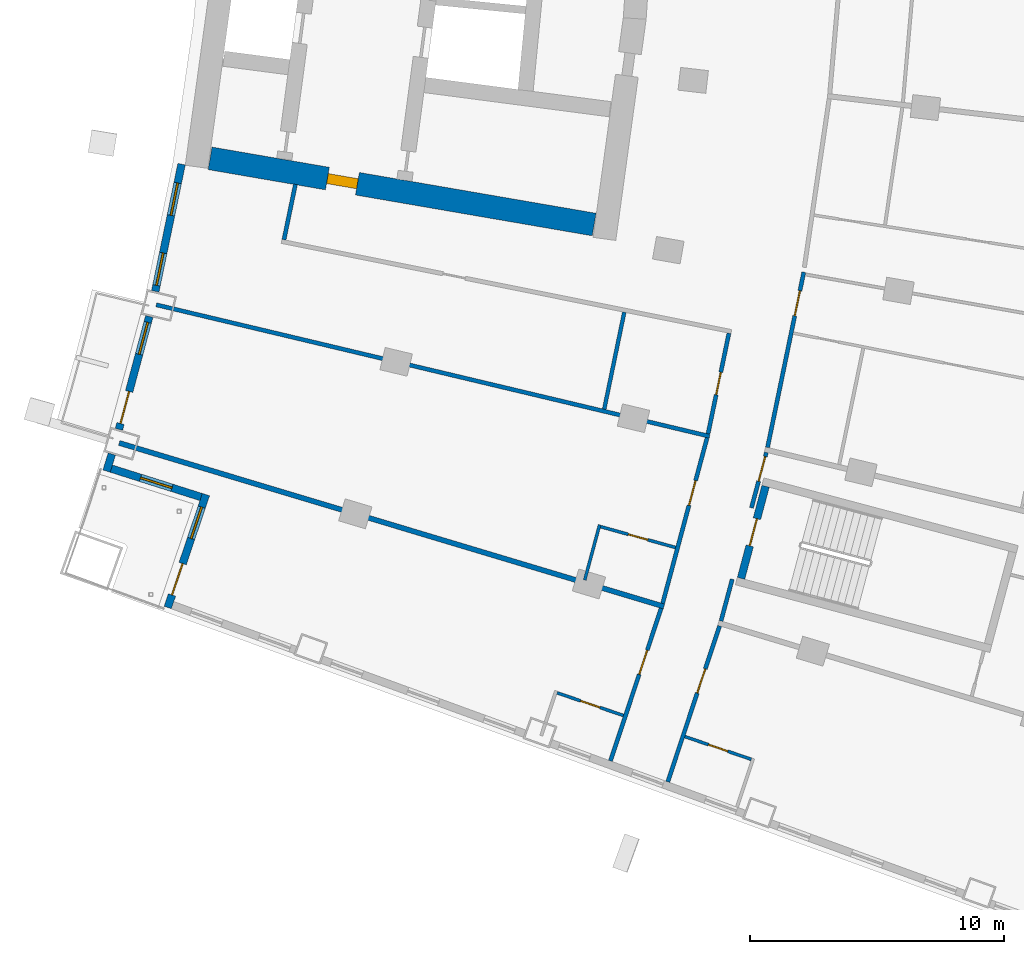
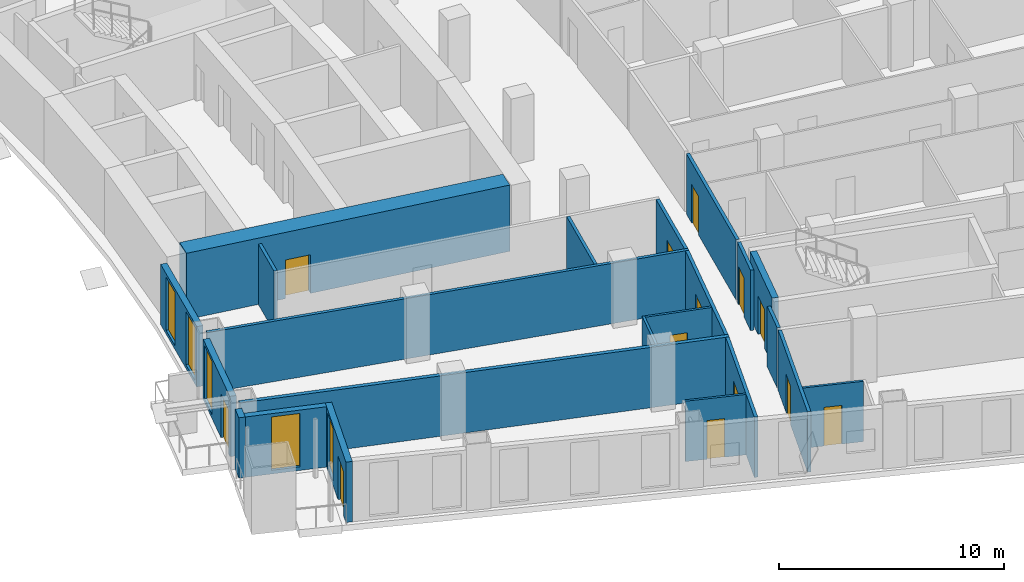
# One storey, part 13 of 24: 22 walls, 13 doors, 5 windows, 18 openings.
"""IFC4 building model written with IfcOpenShell, lengths in metres."""

from ifc_helpers import new_model, si_unit, direction, frame, frame_2d, origin, place, context, subcontext, project, spatial, rectangle, extrude, material, layer, layer_set, type_object, element, fill, save


model = new_model("IFC4")

# Units and contexts
model_context = context("Model", 3, precision=1e-05, world=origin(), true_north=direction((0.0, 1.0)))
body_context = subcontext(model_context, "Body", "Model", "MODEL_VIEW")
ifc_project = project(units=[si_unit("LENGTHUNIT", "METRE"), si_unit("AREAUNIT", "SQUARE_METRE"), si_unit("VOLUMEUNIT", "CUBIC_METRE"), si_unit("PLANEANGLEUNIT", "RADIAN"), si_unit("MASSUNIT", "GRAM", prefix="KILO")], contexts=[model_context])

# Site, building, storey
site_placement = place(None, origin())
site = spatial("IfcSite", under=ifc_project, at=site_placement, CompositionType="ELEMENT")
building_placement = place(site_placement, origin())
building = spatial("IfcBuilding", under=site, at=building_placement, Name="Alderwake Tower", CompositionType="ELEMENT")
storey_placement = place(building_placement, frame((0.0, 0.0, 39.199951171875)))
storey = spatial("IfcBuildingStorey", under=building, at=storey_placement, Name="L08", CompositionType="ELEMENT", Elevation=39.199951171875)

# Wall, opening, door
ifc_material_1 = material(Name="Concrete C70/85", Category="concrete")
ifc_layer_1 = layer(ifc_material_1, 0.89990234375)
ifc_layer_set_1 = layer_set([ifc_layer_1], Name="Core wall outer 900 C70-85")
wall_type_1 = type_object("IfcWallType", Name="Core wall outer 900 C70-85", PredefinedType="SHEAR", material=ifc_layer_set_1)
wall_1_placement = place(storey_placement, frame((31.11328125, 41.846923828125, 0.0), z_axis=(0.0, 0.0, 1.0), x_axis=(-0.985466640605, 0.169869067972, 0.0)))
wall_1 = element("IfcWall", 1, at=wall_1_placement, inside=storey, type_object=wall_type_1, Name="Core wall CW.070", PredefinedType="SHEAR", context=body_context, shape_type="SweptSolid", body=[
    extrude(rectangle(XDim=15.336669921875, YDim=0.89990234375, at=frame_2d((7.66845703125, 0.0))), origin(), (0.0, 0.0, 1.0), 3.60009765625),
])
opening_1_placement = place(wall_1_placement, frame((9.451904296875, 0.0, 0.0)))
opening_1 = element("IfcOpeningElement", 2, at=opening_1_placement, cuts=wall_1, Name="Opening C003", PredefinedType="OPENING", context=body_context, shape_type="SweptSolid", body=[
    extrude(rectangle(XDim=1.199951171875, YDim=2.10009765625, at=frame_2d((0.60009765625, 1.050048828125))), frame((0.0, 0.4599609375, 0.0), z_axis=(0.0, -1.0, 0.0), x_axis=(1.0, 0.0, 0.0)), (0.0, 0.0, 1.0), 0.919921875),
])
ifc_material_2 = material(Name="Steel-framed fire door leaf", Category="steel")
door_type_1 = type_object("IfcDoorType", Name="Core lobby exit door 1200 fire-rated", OperationType="SINGLE_SWING_LEFT", PredefinedType="DOOR", material=ifc_material_2)
door_1_placement = place(opening_1_placement, origin())
door_1 = element("IfcDoor", 3, at=door_1_placement, inside=storey, type_object=door_type_1, Name="Lobby door", OperationType="SINGLE_SWING_LEFT", OverallHeight=2.10009765625, OverallWidth=1.199951171875, PredefinedType="DOOR", context=body_context, shape_type="SweptSolid", body=[
    extrude(rectangle(XDim=1.199951171875, YDim=2.10009765625, at=frame_2d((0.60009765625, 1.050048828125))), frame((0.0, 0.199951171875, 0.0), z_axis=(0.0, -1.0, 0.0), x_axis=(1.0, 0.0, 0.0)), (0.0, 0.0, 1.0), 0.39990234375),
])
fill(opening_1, door_1)

ifc_material_3 = material(Name="Concrete C70/85", Category="concrete")
ifc_layer_2 = layer(ifc_material_3, 0.300048828125)
ifc_layer_set_2 = layer_set([ifc_layer_2], Name="Core wall stair enclosure 300 C70-85")
wall_type_2 = type_object("IfcWallType", Name="Core wall stair enclosure 300 C70-85", PredefinedType="SHEAR", material=ifc_layer_set_2)
wall_2_placement = place(storey_placement, frame((36.89501953125, 27.923828125, 0.0), z_axis=(0.0, 0.0, 1.0), x_axis=(0.257350630826, 0.966318090907, 0.0)))
wall_2 = element("IfcWall", 4, at=wall_2_placement, inside=storey, type_object=wall_type_2, Name="Core wall CW.087", PredefinedType="SHEAR", context=body_context, shape_type="SweptSolid", body=[
    extrude(rectangle(XDim=3.75, YDim=0.300048828125, at=frame_2d((1.875, 0.0))), origin(), (0.0, 0.0, 1.0), 3.60009765625),
])
opening_2_placement = place(wall_2_placement, frame((1.324951171875, 0.0, 0.0)))
opening_2 = element("IfcOpeningElement", 5, at=opening_2_placement, cuts=wall_2, Name="Opening C065", PredefinedType="OPENING", context=body_context, shape_type="SweptSolid", body=[
    extrude(rectangle(XDim=1.10009765625, YDim=2.10009765625, at=frame_2d((0.550048828125, 1.050048828125))), frame((0.0, 0.159912109375, 0.0), z_axis=(0.0, -1.0, 0.0), x_axis=(1.0, 0.0, 0.0)), (0.0, 0.0, 1.0), 0.320068359375),
])
ifc_material_4 = material(Name="Steel-framed fire door leaf", Category="steel")
door_type_2 = type_object("IfcDoorType", Name="Core stair door 1100 fire-rated", OperationType="SINGLE_SWING_LEFT", PredefinedType="DOOR", material=ifc_material_4)
door_2_placement = place(opening_2_placement, origin())
door_2 = element("IfcDoor", 6, at=door_2_placement, inside=storey, type_object=door_type_2, Name="Stair door", OperationType="SINGLE_SWING_LEFT", OverallHeight=2.10009765625, OverallWidth=1.10009765625, PredefinedType="DOOR", context=body_context, shape_type="SweptSolid", body=[
    extrude(rectangle(XDim=1.10009765625, YDim=2.10009765625, at=frame_2d((0.550048828125, 1.050048828125))), frame((0.0, 0.02490234375, 0.0), z_axis=(0.0, -1.0, 0.0), x_axis=(1.0, 0.0, 0.0)), (0.0, 0.0, 1.0), 0.050048828125),
])
fill(opening_2, door_2)

# Walls
ifc_material_5 = material(Name="Gypsum board on metal studs, rated")
ifc_layer_3 = layer(ifc_material_5, 0.159912109375)
ifc_layer_set_3 = layer_set([ifc_layer_3], Name="Corridor wall 160")
wall_type_3 = type_object("IfcWallType", Name="Corridor wall 160", PredefinedType="PARTITIONING", material=ifc_layer_set_3)
wall_3_placement = place(storey_placement, frame((13.884033203125, 38.68798828125, 0.0), z_axis=(0.0, 0.0, 1.0), x_axis=(0.972893462073, -0.231253781493, 0.0)))
element("IfcWall", 7, at=wall_3_placement, inside=storey, type_object=wall_type_3, Name="WL/L08/W16", PredefinedType="PARTITIONING", context=body_context, shape_type="SweptSolid", body=[
    extrude(rectangle(XDim=22.38037109375, YDim=0.159912109375, at=frame_2d((11.190185546875, 0.0))), origin(), (0.0, 0.0, 1.0), 3.280029296875),
])
wall_4_placement = place(storey_placement, frame((19.35888671875, 43.430908203125, 0.0), z_axis=(0.0, 0.0, 1.0), x_axis=(-0.202554916658, -0.979270905183, 0.0)))
element("IfcWall", 8, at=wall_4_placement, inside=storey, type_object=wall_type_3, Name="WL/L08/W19", PredefinedType="PARTITIONING", context=body_context, shape_type="SweptSolid", body=[
    extrude(rectangle(XDim=2.229736328125, YDim=0.159912109375, at=frame_2d((1.11474609375, 0.0))), origin(), (0.0, 0.0, 1.0), 3.280029296875),
])

# Wall, opening, door
wall_5_placement = place(storey_placement, frame((31.7548828125, 20.739013671875, 0.0), z_axis=(0.0, 0.0, 1.0), x_axis=(0.31554473692, 0.948910701279, 0.0)))
wall_5 = element("IfcWall", 9, at=wall_5_placement, inside=storey, type_object=wall_type_3, Name="WL/L08/W21", PredefinedType="PARTITIONING", context=body_context, shape_type="SweptSolid", body=[
    extrude(rectangle(XDim=6.327392578125, YDim=0.159912109375, at=frame_2d((3.16357421875, 0.0))), origin(), (0.0, 0.0, 1.0), 3.280029296875),
])
opening_3_placement = place(wall_5_placement, frame((3.59130859375, 0.0, 0.0)))
opening_3 = element("IfcOpeningElement", 10, at=opening_3_placement, cuts=wall_5, Name="Opening R01-U10.1", PredefinedType="OPENING", context=body_context, shape_type="SweptSolid", body=[
    extrude(rectangle(XDim=1.0, YDim=2.10009765625, at=frame_2d((0.5, 1.050048828125))), frame((0.0, 0.08984375, 0.0), z_axis=(0.0, -1.0, 0.0), x_axis=(1.0, 0.0, 0.0)), (0.0, 0.0, 1.0), 0.179931640625),
])
ifc_material_6 = material(Name="Solid timber leaf in steel frame", Category="steel")
door_type_3 = type_object("IfcDoorType", Name="Flat entrance door 1000 fire-rated", OperationType="SINGLE_SWING_LEFT", PredefinedType="DOOR", material=ifc_material_6)
door_3_placement = place(opening_3_placement, origin())
door_3 = element("IfcDoor", 11, at=door_3_placement, inside=storey, type_object=door_type_3, Name="DR/L08/U10.1", OperationType="SINGLE_SWING_LEFT", OverallHeight=2.10009765625, OverallWidth=1.0, PredefinedType="DOOR", context=body_context, shape_type="SweptSolid", body=[
    extrude(rectangle(XDim=1.0, YDim=2.10009765625, at=frame_2d((0.5, 1.050048828125))), frame((0.0, 0.02490234375, 0.0), z_axis=(0.0, -1.0, 0.0), x_axis=(1.0, 0.0, 0.0)), (0.0, 0.0, 1.0), 0.050048828125),
])
fill(opening_3, door_3)

wall_6_placement = place(storey_placement, frame((36.049560546875, 26.052978515625, 0.0), z_axis=(0.0, 0.0, 1.0), x_axis=(-0.315151894598, -0.949041244273, 0.0)))
wall_6 = element("IfcWall", 12, at=wall_6_placement, inside=storey, type_object=wall_type_3, Name="WL/L08/W23", PredefinedType="PARTITIONING", context=body_context, shape_type="SweptSolid", body=[
    extrude(rectangle(XDim=6.468505859375, YDim=0.159912109375, at=frame_2d((3.234375, 0.0))), origin(), (0.0, 0.0, 1.0), 3.280029296875),
])
opening_4_placement = place(wall_6_placement, frame((1.7822265625, 0.0, 0.0)))
opening_4 = element("IfcOpeningElement", 13, at=opening_4_placement, cuts=wall_6, Name="Opening R01-U03.1", PredefinedType="OPENING", context=body_context, shape_type="SweptSolid", body=[
    extrude(rectangle(XDim=1.0, YDim=2.10009765625, at=frame_2d((0.5, 1.050048828125))), frame((0.0, 0.08984375, 0.0), z_axis=(0.0, -1.0, 0.0), x_axis=(1.0, 0.0, 0.0)), (0.0, 0.0, 1.0), 0.179931640625),
])
door_4_placement = place(opening_4_placement, origin())
door_4 = element("IfcDoor", 14, at=door_4_placement, inside=storey, type_object=door_type_3, Name="DR/L08/U03.1", OperationType="SINGLE_SWING_LEFT", OverallHeight=2.10009765625, OverallWidth=1.0, PredefinedType="DOOR", context=body_context, shape_type="SweptSolid", body=[
    extrude(rectangle(XDim=1.0, YDim=2.10009765625, at=frame_2d((0.5, 1.050048828125))), frame((0.0, 0.02490234375, 0.0), z_axis=(0.0, -1.0, 0.0), x_axis=(1.0, 0.0, 0.0)), (0.0, 0.0, 1.0), 0.050048828125),
])
fill(opening_4, door_4)

wall_7_placement = place(storey_placement, frame((33.808837890625, 26.9345703125, 0.0), z_axis=(0.0, 0.0, 1.0), x_axis=(0.259298911818, 0.965797118618, 0.0)))
wall_7 = element("IfcWall", 15, at=wall_7_placement, inside=storey, type_object=wall_type_3, Name="WL/L08/W24", PredefinedType="PARTITIONING", context=body_context, shape_type="SweptSolid", body=[
    extrude(rectangle(XDim=6.75, YDim=0.159912109375, at=frame_2d((3.375, 0.0))), origin(), (0.0, 0.0, 1.0), 3.280029296875),
])
opening_5_placement = place(wall_7_placement, frame((4.00341796875, 0.0, 0.0)))
opening_5 = element("IfcOpeningElement", 16, at=opening_5_placement, cuts=wall_7, Name="Opening R01-U11.1", PredefinedType="OPENING", context=body_context, shape_type="SweptSolid", body=[
    extrude(rectangle(XDim=1.0, YDim=2.10009765625, at=frame_2d((0.5, 1.050048828125))), frame((0.0, 0.08984375, 0.0), z_axis=(0.0, -1.0, 0.0), x_axis=(1.0, 0.0, 0.0)), (0.0, 0.0, 1.0), 0.179931640625),
])
door_5_placement = place(opening_5_placement, origin())
door_5 = element("IfcDoor", 17, at=door_5_placement, inside=storey, type_object=door_type_3, Name="DR/L08/U11.1", OperationType="SINGLE_SWING_LEFT", OverallHeight=2.10009765625, OverallWidth=1.0, PredefinedType="DOOR", context=body_context, shape_type="SweptSolid", body=[
    extrude(rectangle(XDim=1.0, YDim=2.10009765625, at=frame_2d((0.5, 1.050048828125))), frame((0.0, 0.02490234375, 0.0), z_axis=(0.0, -1.0, 0.0), x_axis=(1.0, 0.0, 0.0)), (0.0, 0.0, 1.0), 0.050048828125),
])
fill(opening_5, door_5)

# Wall
wall_8_placement = place(storey_placement, frame((36.10693359375, 26.24462890625, 0.0), z_axis=(0.0, 0.0, 1.0), x_axis=(0.259346865847, 0.965784242559, 0.0)))
element("IfcWall", 18, at=wall_8_placement, inside=storey, type_object=wall_type_3, Name="WL/L08/W27", PredefinedType="PARTITIONING", context=body_context, shape_type="SweptSolid", body=[
    extrude(rectangle(XDim=1.704833984375, YDim=0.159912109375, at=frame_2d((0.8525390625, 0.0))), origin(), (0.0, 0.0, 1.0), 3.280029296875),
])

# Wall, opening, door
wall_9_placement = place(storey_placement, frame((35.59619140625, 33.609375, 0.0), z_axis=(0.0, 0.0, 1.0), x_axis=(0.203245920818, 0.979127721838, 0.0)))
wall_9 = element("IfcWall", 19, at=wall_9_placement, inside=storey, type_object=wall_type_3, Name="WL/L08/W29", PredefinedType="PARTITIONING", context=body_context, shape_type="SweptSolid", body=[
    extrude(rectangle(XDim=4.046875, YDim=0.159912109375, at=frame_2d((2.0234375, 0.0))), origin(), (0.0, 0.0, 1.0), 3.280029296875),
])
opening_6_placement = place(wall_9_placement, frame((1.573486328125, 0.0, 0.0)))
opening_6 = element("IfcOpeningElement", 20, at=opening_6_placement, cuts=wall_9, Name="Opening R01-SBS2", PredefinedType="OPENING", context=body_context, shape_type="SweptSolid", body=[
    extrude(rectangle(XDim=0.89990234375, YDim=2.10009765625, at=frame_2d((0.449951171875, 1.050048828125))), frame((0.0, 0.08984375, 0.0), z_axis=(0.0, -1.0, 0.0), x_axis=(1.0, 0.0, 0.0)), (0.0, 0.0, 1.0), 0.179931640625),
])
ifc_material_7 = material(Name="Painted timber leaf", Category="wood")
door_type_4 = type_object("IfcDoorType", Name="Room door 900", OperationType="SINGLE_SWING_LEFT", PredefinedType="DOOR", material=ifc_material_7)
door_6_placement = place(opening_6_placement, origin())
door_6 = element("IfcDoor", 21, at=door_6_placement, inside=storey, type_object=door_type_4, Name="DR/L08/SBS2", OperationType="SINGLE_SWING_LEFT", OverallHeight=2.10009765625, OverallWidth=0.89990234375, PredefinedType="DOOR", context=body_context, shape_type="SweptSolid", body=[
    extrude(rectangle(XDim=0.89990234375, YDim=2.10009765625, at=frame_2d((0.449951171875, 1.050048828125))), frame((0.0, 0.02490234375, 0.0), z_axis=(0.0, -1.0, 0.0), x_axis=(1.0, 0.0, 0.0)), (0.0, 0.0, 1.0), 0.050048828125),
])
fill(opening_6, door_6)

wall_10_placement = place(storey_placement, frame((37.89111328125, 32.87939453125, 0.0), z_axis=(0.0, 0.0, 1.0), x_axis=(-0.259620578816, -0.965710699462, 0.0)))
wall_10 = element("IfcWall", 22, at=wall_10_placement, inside=storey, type_object=wall_type_3, Name="WL/L08/W32", PredefinedType="PARTITIONING", context=body_context, shape_type="SweptSolid", body=[
    extrude(rectangle(XDim=2.2578125, YDim=0.159912109375, at=frame_2d((1.12890625, 0.0))), origin(), (0.0, 0.0, 1.0), 3.280029296875),
])
opening_7_placement = place(wall_10_placement, frame((0.1708984375, 0.0, 0.0)))
opening_7 = element("IfcOpeningElement", 23, at=opening_7_placement, cuts=wall_10, Name="Opening R01-U01.1", PredefinedType="OPENING", context=body_context, shape_type="SweptSolid", body=[
    extrude(rectangle(XDim=1.0, YDim=2.10009765625, at=frame_2d((0.5, 1.050048828125))), frame((0.0, 0.08984375, 0.0), z_axis=(0.0, -1.0, 0.0), x_axis=(1.0, 0.0, 0.0)), (0.0, 0.0, 1.0), 0.179931640625),
])
door_7_placement = place(opening_7_placement, origin())
door_7 = element("IfcDoor", 24, at=door_7_placement, inside=storey, type_object=door_type_3, Name="DR/L08/U01.1", OperationType="SINGLE_SWING_LEFT", OverallHeight=2.10009765625, OverallWidth=1.0, PredefinedType="DOOR", context=body_context, shape_type="SweptSolid", body=[
    extrude(rectangle(XDim=1.0, YDim=2.10009765625, at=frame_2d((0.5, 1.050048828125))), frame((0.0, 0.02490234375, 0.0), z_axis=(0.0, -1.0, 0.0), x_axis=(1.0, 0.0, 0.0)), (0.0, 0.0, 1.0), 0.050048828125),
])
fill(opening_7, door_7)

wall_11_placement = place(storey_placement, frame((39.3642578125, 39.975341796875, 0.0), z_axis=(0.0, 0.0, 1.0), x_axis=(-0.202487611378, -0.979284824368, 0.0)))
wall_11 = element("IfcWall", 25, at=wall_11_placement, inside=storey, type_object=wall_type_3, Name="WL/L08/W33", PredefinedType="PARTITIONING", context=body_context, shape_type="SweptSolid", body=[
    extrude(rectangle(XDim=7.04736328125, YDim=0.159912109375, at=frame_2d((3.523681640625, 0.0))), origin(), (0.0, 0.0, 1.0), 3.280029296875),
])
opening_8_placement = place(wall_11_placement, frame((0.7568359375, 0.0, 0.0)))
opening_8 = element("IfcOpeningElement", 26, at=opening_8_placement, cuts=wall_11, Name="Opening R01-U05.3", PredefinedType="OPENING", context=body_context, shape_type="SweptSolid", body=[
    extrude(rectangle(XDim=1.0, YDim=2.10009765625, at=frame_2d((0.5, 1.050048828125))), frame((0.0, 0.08984375, 0.0), z_axis=(0.0, -1.0, 0.0), x_axis=(1.0, 0.0, 0.0)), (0.0, 0.0, 1.0), 0.179931640625),
])
door_8_placement = place(opening_8_placement, origin())
door_8 = element("IfcDoor", 27, at=door_8_placement, inside=storey, type_object=door_type_3, Name="DR/L08/U05.3", OperationType="SINGLE_SWING_LEFT", OverallHeight=2.10009765625, OverallWidth=1.0, PredefinedType="DOOR", context=body_context, shape_type="SweptSolid", body=[
    extrude(rectangle(XDim=1.0, YDim=2.10009765625, at=frame_2d((0.5, 1.050048828125))), frame((0.0, 0.02490234375, 0.0), z_axis=(0.0, -1.0, 0.0), x_axis=(1.0, 0.0, 0.0)), (0.0, 0.0, 1.0), 0.050048828125),
])
fill(opening_8, door_8)

# Wall
ifc_material_8 = material(Name="Precast concrete C50/60 spandrel panel", Category="concrete")
ifc_layer_4 = layer(ifc_material_8, 0.300048828125)
ifc_layer_set_4 = layer_set([ifc_layer_4], Name="External wall EW1 Precast concrete C50/60 spandrel")
wall_type_4 = type_object("IfcWallType", Name="External wall EW1 Precast concrete C50/60 spandrel", PredefinedType="SOLIDWALL", material=ifc_layer_set_4)
wall_12_placement = place(storey_placement, frame((12.1328125, 32.814453125, 0.0), z_axis=(0.0, 0.0, 1.0), x_axis=(-0.294671831364, -0.955598509731, 0.0)))
element("IfcWall", 28, at=wall_12_placement, inside=storey, type_object=wall_type_4, Name="External wall 1", PredefinedType="SOLIDWALL", context=body_context, shape_type="SweptSolid", body=[
    extrude(rectangle(XDim=0.70263671875, YDim=0.300048828125, at=frame_2d((0.351318359375, 0.0))), origin(), (0.0, 0.0, 1.0), 3.280029296875),
])

# Wall, openings, windows
wall_13_placement = place(storey_placement, frame((14.878173828125, 44.223388671875, 0.0), z_axis=(0.0, 0.0, 1.0), x_axis=(-0.202738354746, -0.979232944459, 0.0)))
wall_13 = element("IfcWall", 29, at=wall_13_placement, inside=storey, type_object=wall_type_4, Name="External wall 35", PredefinedType="SOLIDWALL", context=body_context, shape_type="SweptSolid", body=[
    extrude(rectangle(XDim=5.1083984375, YDim=0.300048828125, at=frame_2d((2.55419921875, 0.0))), origin(), (0.0, 0.0, 1.0), 3.280029296875),
])
opening_9_placement = place(wall_13_placement, frame((0.75634765625, 0.0, 0.199951171875)))
opening_9 = element("IfcOpeningElement", 30, at=opening_9_placement, cuts=wall_13, Name="Opening W1", PredefinedType="OPENING", context=body_context, shape_type="SweptSolid", body=[
    extrude(rectangle(XDim=1.300048828125, YDim=2.89990234375, at=frame_2d((0.64990234375, 1.449951171875))), frame((0.0, 0.159912109375, 0.0), z_axis=(0.0, -1.0, 0.0), x_axis=(1.0, 0.0, 0.0)), (0.0, 0.0, 1.0), 0.320068359375),
])
opening_10_placement = place(wall_13_placement, frame((3.569091796875, 0.0, 0.199951171875)))
opening_10 = element("IfcOpeningElement", 31, at=opening_10_placement, cuts=wall_13, Name="Opening W1", PredefinedType="OPENING", context=body_context, shape_type="SweptSolid", body=[
    extrude(rectangle(XDim=1.300048828125, YDim=2.89990234375, at=frame_2d((0.64990234375, 1.449951171875))), frame((0.0, 0.159912109375, 0.0), z_axis=(0.0, -1.0, 0.0), x_axis=(1.0, 0.0, 0.0)), (0.0, 0.0, 1.0), 0.320068359375),
])
ifc_material_9 = material(Name="Bronze tinted glass in aluminium frame", Category="aluminium")
window_type = type_object("IfcWindowType", Name="Window W1 tall fixed and vent", PartitioningType="DOUBLE_PANEL_VERTICAL", PredefinedType="WINDOW", material=ifc_material_9)
window_1_placement = place(opening_9_placement, origin())
window_1 = element("IfcWindow", 32, at=window_1_placement, inside=storey, type_object=window_type, Name="Window W1 tall fixed and vent", OverallHeight=2.89990234375, OverallWidth=1.300048828125, PartitioningType="DOUBLE_PANEL_VERTICAL", PredefinedType="WINDOW", context=body_context, shape_type="SweptSolid", body=[
    extrude(rectangle(XDim=1.300048828125, YDim=2.89990234375, at=frame_2d((0.64990234375, 1.449951171875))), frame((0.0, 0.030029296875, 0.0), z_axis=(0.0, -1.0, 0.0), x_axis=(1.0, 0.0, 0.0)), (0.0, 0.0, 1.0), 0.06005859375),
])
fill(opening_9, window_1)
window_2_placement = place(opening_10_placement, origin())
window_2 = element("IfcWindow", 33, at=window_2_placement, inside=storey, type_object=window_type, Name="Window W1 tall fixed and vent", OverallHeight=2.89990234375, OverallWidth=1.300048828125, PartitioningType="DOUBLE_PANEL_VERTICAL", PredefinedType="WINDOW", context=body_context, shape_type="SweptSolid", body=[
    extrude(rectangle(XDim=1.300048828125, YDim=2.89990234375, at=frame_2d((0.64990234375, 1.449951171875))), frame((0.0, 0.030029296875, 0.0), z_axis=(0.0, -1.0, 0.0), x_axis=(1.0, 0.0, 0.0)), (0.0, 0.0, 1.0), 0.06005859375),
])
fill(opening_10, window_2)

# Wall, openings, door, window
wall_14_placement = place(storey_placement, frame((13.606689453125, 38.229248046875, 0.0), z_axis=(0.0, 0.0, 1.0), x_axis=(-0.259495671332, -0.965744270788, 0.0)))
wall_14 = element("IfcWall", 34, at=wall_14_placement, inside=storey, type_object=wall_type_4, Name="External wall 36", PredefinedType="SOLIDWALL", context=body_context, shape_type="SweptSolid", body=[
    extrude(rectangle(XDim=4.599609375, YDim=0.300048828125, at=frame_2d((2.2998046875, 0.0))), origin(), (0.0, 0.0, 1.0), 3.280029296875),
])
opening_11_placement = place(wall_14_placement, frame((0.2412109375, 0.0, 0.199951171875)))
opening_11 = element("IfcOpeningElement", 35, at=opening_11_placement, cuts=wall_14, Name="Opening W1", PredefinedType="OPENING", context=body_context, shape_type="SweptSolid", body=[
    extrude(rectangle(XDim=1.300048828125, YDim=2.89990234375, at=frame_2d((0.64990234375, 1.449951171875))), frame((0.0, 0.159912109375, 0.0), z_axis=(0.0, -1.0, 0.0), x_axis=(1.0, 0.0, 0.0)), (0.0, 0.0, 1.0), 0.320068359375),
])
opening_12_placement = place(wall_14_placement, frame((3.058349609375, 0.0, 0.0)))
opening_12 = element("IfcOpeningElement", 36, at=opening_12_placement, cuts=wall_14, Name="Opening D15", PredefinedType="OPENING", context=body_context, shape_type="SweptSolid", body=[
    extrude(rectangle(XDim=1.300048828125, YDim=2.39990234375, at=frame_2d((0.64990234375, 1.199951171875))), frame((0.0, 0.159912109375, 0.0), z_axis=(0.0, -1.0, 0.0), x_axis=(1.0, 0.0, 0.0)), (0.0, 0.0, 1.0), 0.320068359375),
])
ifc_material_10 = material(Name="Bronze tinted glass in aluminium frame", Category="aluminium")
door_type_5 = type_object("IfcDoorType", Name="Balcony door BD sliding", OperationType="SLIDING_TO_LEFT", PredefinedType="DOOR", material=ifc_material_10)
door_9_placement = place(opening_12_placement, origin())
door_9 = element("IfcDoor", 37, at=door_9_placement, inside=storey, type_object=door_type_5, Name="Door D15", OperationType="SLIDING_TO_LEFT", OverallHeight=2.39990234375, OverallWidth=1.300048828125, PredefinedType="DOOR", context=body_context, shape_type="SweptSolid", body=[
    extrude(rectangle(XDim=1.300048828125, YDim=2.39990234375, at=frame_2d((0.64990234375, 1.199951171875))), frame((0.0, 0.02490234375, 0.0), z_axis=(0.0, -1.0, 0.0), x_axis=(1.0, 0.0, 0.0)), (0.0, 0.0, 1.0), 0.050048828125),
])
fill(opening_12, door_9)
window_3_placement = place(opening_11_placement, origin())
window_3 = element("IfcWindow", 38, at=window_3_placement, inside=storey, type_object=window_type, Name="Window W1 tall fixed and vent", OverallHeight=2.89990234375, OverallWidth=1.300048828125, PartitioningType="DOUBLE_PANEL_VERTICAL", PredefinedType="WINDOW", context=body_context, shape_type="SweptSolid", body=[
    extrude(rectangle(XDim=1.300048828125, YDim=2.89990234375, at=frame_2d((0.64990234375, 1.449951171875))), frame((0.0, 0.030029296875, 0.0), z_axis=(0.0, -1.0, 0.0), x_axis=(1.0, 0.0, 0.0)), (0.0, 0.0, 1.0), 0.06005859375),
])
fill(opening_11, window_3)

# Wall, opening, window
ifc_material_11 = material(Name="Bronze metal cladding on lightweight framing")
ifc_layer_5 = layer(ifc_material_11, 0.300048828125)
ifc_layer_set_5 = layer_set([ifc_layer_5], Name="External wall EW2 bronze metal cladding")
wall_type_5 = type_object("IfcWallType", Name="External wall EW2 bronze metal cladding", PredefinedType="SOLIDWALL", material=ifc_layer_set_5)
wall_15_placement = place(storey_placement, frame((12.113037109375, 32.2412109375, 0.0), z_axis=(0.0, 0.0, 1.0), x_axis=(0.953458128271, -0.301525451054, 0.0)))
wall_15 = element("IfcWall", 39, at=wall_15_placement, inside=storey, type_object=wall_type_5, Name="External wall 2", PredefinedType="SOLIDWALL", context=body_context, shape_type="SweptSolid", body=[
    extrude(rectangle(XDim=3.705810546875, YDim=0.300048828125, at=frame_2d((1.85302734375, 0.0))), origin(), (0.0, 0.0, 1.0), 3.280029296875),
])
opening_13_placement = place(wall_15_placement, frame((1.202880859375, 0.0, 0.199951171875)))
opening_13 = element("IfcOpeningElement", 40, at=opening_13_placement, cuts=wall_15, Name="Opening W1", PredefinedType="OPENING", context=body_context, shape_type="SweptSolid", body=[
    extrude(rectangle(XDim=1.300048828125, YDim=2.89990234375, at=frame_2d((0.64990234375, 1.449951171875))), frame((0.0, 0.159912109375, 0.0), z_axis=(0.0, -1.0, 0.0), x_axis=(1.0, 0.0, 0.0)), (0.0, 0.0, 1.0), 0.320068359375),
])
window_4_placement = place(opening_13_placement, origin())
window_4 = element("IfcWindow", 41, at=window_4_placement, inside=storey, type_object=window_type, Name="Window W1 tall fixed and vent", OverallHeight=2.89990234375, OverallWidth=1.300048828125, PartitioningType="DOUBLE_PANEL_VERTICAL", PredefinedType="WINDOW", context=body_context, shape_type="SweptSolid", body=[
    extrude(rectangle(XDim=1.300048828125, YDim=2.89990234375, at=frame_2d((0.64990234375, 1.449951171875))), frame((0.0, 0.030029296875, 0.0), z_axis=(0.0, -1.0, 0.0), x_axis=(1.0, 0.0, 0.0)), (0.0, 0.0, 1.0), 0.06005859375),
])
fill(opening_13, window_4)

# Wall, openings, door, window
wall_16_placement = place(storey_placement, frame((15.83740234375, 31.220703125, 0.0), z_axis=(0.0, 0.0, 1.0), x_axis=(-0.32041006121, -0.947278941324, 0.0)))
wall_16 = element("IfcWall", 42, at=wall_16_placement, inside=storey, type_object=wall_type_5, Name="External wall 3", PredefinedType="SOLIDWALL", context=body_context, shape_type="SweptSolid", body=[
    extrude(rectangle(XDim=4.68994140625, YDim=0.300048828125, at=frame_2d((2.344970703125, 0.0))), origin(), (0.0, 0.0, 1.0), 3.280029296875),
])
opening_14_placement = place(wall_16_placement, frame((0.5224609375, 0.0, 0.199951171875)))
opening_14 = element("IfcOpeningElement", 43, at=opening_14_placement, cuts=wall_16, Name="Opening W1", PredefinedType="OPENING", context=body_context, shape_type="SweptSolid", body=[
    extrude(rectangle(XDim=1.300048828125, YDim=2.89990234375, at=frame_2d((0.64990234375, 1.449951171875))), frame((0.0, 0.159912109375, 0.0), z_axis=(0.0, -1.0, 0.0), x_axis=(1.0, 0.0, 0.0)), (0.0, 0.0, 1.0), 0.320068359375),
])
opening_15_placement = place(wall_16_placement, frame((2.867431640625, 0.0, 0.0)))
opening_15 = element("IfcOpeningElement", 44, at=opening_15_placement, cuts=wall_16, Name="Opening D01", PredefinedType="OPENING", context=body_context, shape_type="SweptSolid", body=[
    extrude(rectangle(XDim=1.300048828125, YDim=2.39990234375, at=frame_2d((0.64990234375, 1.199951171875))), frame((0.0, 0.159912109375, 0.0), z_axis=(0.0, -1.0, 0.0), x_axis=(1.0, 0.0, 0.0)), (0.0, 0.0, 1.0), 0.320068359375),
])
door_10_placement = place(opening_15_placement, origin())
door_10 = element("IfcDoor", 45, at=door_10_placement, inside=storey, type_object=door_type_5, Name="Door D01", OperationType="SLIDING_TO_LEFT", OverallHeight=2.39990234375, OverallWidth=1.300048828125, PredefinedType="DOOR", context=body_context, shape_type="SweptSolid", body=[
    extrude(rectangle(XDim=1.300048828125, YDim=2.39990234375, at=frame_2d((0.64990234375, 1.199951171875))), frame((0.0, 0.02490234375, 0.0), z_axis=(0.0, -1.0, 0.0), x_axis=(1.0, 0.0, 0.0)), (0.0, 0.0, 1.0), 0.050048828125),
])
fill(opening_15, door_10)
window_5_placement = place(opening_14_placement, origin())
window_5 = element("IfcWindow", 46, at=window_5_placement, inside=storey, type_object=window_type, Name="Window W1 tall fixed and vent", OverallHeight=2.89990234375, OverallWidth=1.300048828125, PartitioningType="DOUBLE_PANEL_VERTICAL", PredefinedType="WINDOW", context=body_context, shape_type="SweptSolid", body=[
    extrude(rectangle(XDim=1.300048828125, YDim=2.89990234375, at=frame_2d((0.64990234375, 1.449951171875))), frame((0.0, 0.030029296875, 0.0), z_axis=(0.0, -1.0, 0.0), x_axis=(1.0, 0.0, 0.0)), (0.0, 0.0, 1.0), 0.06005859375),
])
fill(opening_14, window_5)

# Walls
ifc_material_12 = material(Name="Dense block masonry wall", Category="masonry")
ifc_layer_6 = layer(ifc_material_12, 0.199951171875)
ifc_layer_set_6 = layer_set([ifc_layer_6], Name="Party wall 200")
wall_type_6 = type_object("IfcWallType", Name="Party wall 200", PredefinedType="SOLIDWALL", material=ifc_layer_set_6)
wall_17_placement = place(storey_placement, frame((33.859619140625, 26.81494140625, 0.0), z_axis=(0.0, 0.0, 1.0), x_axis=(-0.95775179957, 0.287596054251, 0.0)))
element("IfcWall", 47, at=wall_17_placement, inside=storey, type_object=wall_type_6, Name="WL/L08/W03", PredefinedType="SOLIDWALL", context=body_context, shape_type="SweptSolid", body=[
    extrude(rectangle(XDim=22.382080078125, YDim=0.199951171875, at=frame_2d((11.19091796875, 0.0))), origin(), (0.0, 0.0, 1.0), 3.280029296875),
])
ifc_material_13 = material(Name="Gypsum shaft wall system, rated")
ifc_layer_7 = layer(ifc_material_13, 0.14990234375)
ifc_layer_set_7 = layer_set([ifc_layer_7], Name="Riser and shaft wall 150")
wall_type_7 = type_object("IfcWallType", Name="Riser and shaft wall 150", PredefinedType="PARTITIONING", material=ifc_layer_set_7)
wall_18_placement = place(storey_placement, frame((31.51025390625, 34.581298828125, 0.0), z_axis=(0.0, 0.0, 1.0), x_axis=(0.202642899892, 0.979252702383, 0.0)))
element("IfcWall", 48, at=wall_18_placement, inside=storey, type_object=wall_type_7, Name="WL/L08/W12", PredefinedType="PARTITIONING", context=body_context, shape_type="SweptSolid", body=[
    extrude(rectangle(XDim=3.896240234375, YDim=0.14990234375, at=frame_2d((1.9482421875, 0.0))), origin(), (0.0, 0.0, 1.0), 3.280029296875),
])
ifc_material_14 = material(Name="Moisture resistant gypsum board on metal studs")
ifc_layer_8 = layer(ifc_material_14, 0.1201171875)
ifc_layer_set_8 = layer_set([ifc_layer_8], Name="Wet room partition 120")
wall_type_8 = type_object("IfcWallType", Name="Wet room partition 120", PredefinedType="PARTITIONING", material=ifc_layer_set_8)
wall_19_placement = place(storey_placement, frame((31.32958984375, 30.031005859375, 0.0), z_axis=(0.0, 0.0, 1.0), x_axis=(-0.260393144933, -0.965502672224, 0.0)))
element("IfcWall", 49, at=wall_19_placement, inside=storey, type_object=wall_type_8, Name="WL/L08/W48", PredefinedType="PARTITIONING", context=body_context, shape_type="SweptSolid", body=[
    extrude(rectangle(XDim=2.2529296875, YDim=0.1201171875, at=frame_2d((1.12646484375, 0.0))), origin(), (0.0, 0.0, 1.0), 3.280029296875),
])

# Wall, opening, door
wall_20_placement = place(storey_placement, frame((32.264404296875, 22.52587890625, 0.0), z_axis=(0.0, 0.0, 1.0), x_axis=(-0.946049080569, 0.324023358964, 0.0)))
wall_20 = element("IfcWall", 50, at=wall_20_placement, inside=storey, type_object=wall_type_8, Name="WL/L08/W50", PredefinedType="PARTITIONING", context=body_context, shape_type="SweptSolid", body=[
    extrude(rectangle(XDim=2.758544921875, YDim=0.1201171875, at=frame_2d((1.37939453125, 0.0))), origin(), (0.0, 0.0, 1.0), 3.280029296875),
])
opening_16_placement = place(wall_20_placement, frame((0.979248046875, 0.0, 0.0)))
opening_16 = element("IfcOpeningElement", 51, at=opening_16_placement, cuts=wall_20, Name="Opening R01-U10.2", PredefinedType="OPENING", context=body_context, shape_type="SweptSolid", body=[
    extrude(rectangle(XDim=0.800048828125, YDim=2.10009765625, at=frame_2d((0.39990234375, 1.050048828125))), frame((0.0, 0.070068359375, 0.0), z_axis=(0.0, -1.0, 0.0), x_axis=(1.0, 0.0, 0.0)), (0.0, 0.0, 1.0), 0.14013671875),
])
ifc_material_15 = material(Name="Painted timber leaf", Category="wood")
door_type_6 = type_object("IfcDoorType", Name="Bathroom door 800", OperationType="SINGLE_SWING_LEFT", PredefinedType="DOOR", material=ifc_material_15)
door_11_placement = place(opening_16_placement, origin())
door_11 = element("IfcDoor", 52, at=door_11_placement, inside=storey, type_object=door_type_6, Name="DR/L08/U10.2", OperationType="SINGLE_SWING_LEFT", OverallHeight=2.10009765625, OverallWidth=0.800048828125, PredefinedType="DOOR", context=body_context, shape_type="SweptSolid", body=[
    extrude(rectangle(XDim=0.800048828125, YDim=2.10009765625, at=frame_2d((0.39990234375, 1.050048828125))), frame((0.0, 0.02490234375, 0.0), z_axis=(0.0, -1.0, 0.0), x_axis=(1.0, 0.0, 0.0)), (0.0, 0.0, 1.0), 0.050048828125),
])
fill(opening_16, door_11)

wall_21_placement = place(storey_placement, frame((34.31787109375, 29.136474609375, 0.0), z_axis=(0.0, 0.0, 1.0), x_axis=(-0.963351881246, 0.268240848677, 0.0)))
wall_21 = element("IfcWall", 53, at=wall_21_placement, inside=storey, type_object=wall_type_8, Name="WL/L08/W51", PredefinedType="PARTITIONING", context=body_context, shape_type="SweptSolid", body=[
    extrude(rectangle(XDim=3.05810546875, YDim=0.1201171875, at=frame_2d((1.529052734375, 0.0))), origin(), (0.0, 0.0, 1.0), 3.280029296875),
])
opening_17_placement = place(wall_21_placement, frame((1.129150390625, 0.0, 0.0)))
opening_17 = element("IfcOpeningElement", 54, at=opening_17_placement, cuts=wall_21, Name="Opening R01-U11.2", PredefinedType="OPENING", context=body_context, shape_type="SweptSolid", body=[
    extrude(rectangle(XDim=0.800048828125, YDim=2.10009765625, at=frame_2d((0.39990234375, 1.050048828125))), frame((0.0, 0.070068359375, 0.0), z_axis=(0.0, -1.0, 0.0), x_axis=(1.0, 0.0, 0.0)), (0.0, 0.0, 1.0), 0.14013671875),
])
door_12_placement = place(opening_17_placement, origin())
door_12 = element("IfcDoor", 55, at=door_12_placement, inside=storey, type_object=door_type_6, Name="DR/L08/U11.2", OperationType="SINGLE_SWING_LEFT", OverallHeight=2.10009765625, OverallWidth=0.800048828125, PredefinedType="DOOR", context=body_context, shape_type="SweptSolid", body=[
    extrude(rectangle(XDim=0.800048828125, YDim=2.10009765625, at=frame_2d((0.39990234375, 1.050048828125))), frame((0.0, 0.02490234375, 0.0), z_axis=(0.0, -1.0, 0.0), x_axis=(1.0, 0.0, 0.0)), (0.0, 0.0, 1.0), 0.050048828125),
])
fill(opening_17, door_12)

wall_22_placement = place(storey_placement, frame((37.29638671875, 20.800537109375, 0.0), z_axis=(0.0, 0.0, 1.0), x_axis=(-0.94575033225, 0.324894304427, 0.0)))
wall_22 = element("IfcWall", 56, at=wall_22_placement, inside=storey, type_object=wall_type_8, Name="WL/L08/W54", PredefinedType="PARTITIONING", context=body_context, shape_type="SweptSolid", body=[
    extrude(rectangle(XDim=2.75927734375, YDim=0.1201171875, at=frame_2d((1.379638671875, 0.0))), origin(), (0.0, 0.0, 1.0), 3.280029296875),
])
opening_18_placement = place(wall_22_placement, frame((0.9794921875, 0.0, 0.0)))
opening_18 = element("IfcOpeningElement", 57, at=opening_18_placement, cuts=wall_22, Name="Opening R01-U03.2", PredefinedType="OPENING", context=body_context, shape_type="SweptSolid", body=[
    extrude(rectangle(XDim=0.800048828125, YDim=2.10009765625, at=frame_2d((0.39990234375, 1.050048828125))), frame((0.0, 0.070068359375, 0.0), z_axis=(0.0, -1.0, 0.0), x_axis=(1.0, 0.0, 0.0)), (0.0, 0.0, 1.0), 0.14013671875),
])
door_13_placement = place(opening_18_placement, origin())
door_13 = element("IfcDoor", 58, at=door_13_placement, inside=storey, type_object=door_type_6, Name="DR/L08/U03.2", OperationType="SINGLE_SWING_LEFT", OverallHeight=2.10009765625, OverallWidth=0.800048828125, PredefinedType="DOOR", context=body_context, shape_type="SweptSolid", body=[
    extrude(rectangle(XDim=0.800048828125, YDim=2.10009765625, at=frame_2d((0.39990234375, 1.050048828125))), frame((0.0, 0.02490234375, 0.0), z_axis=(0.0, -1.0, 0.0), x_axis=(1.0, 0.0, 0.0)), (0.0, 0.0, 1.0), 0.050048828125),
])
fill(opening_18, door_13)

save(model, "model.ifc")
